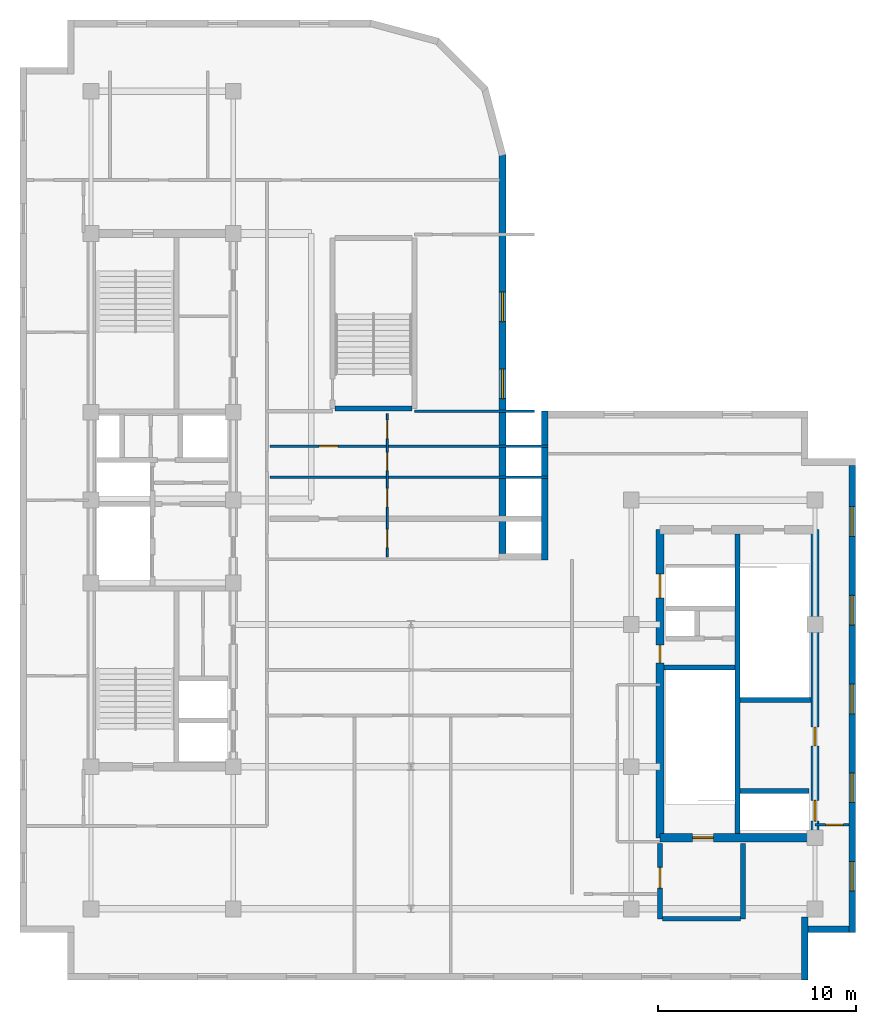
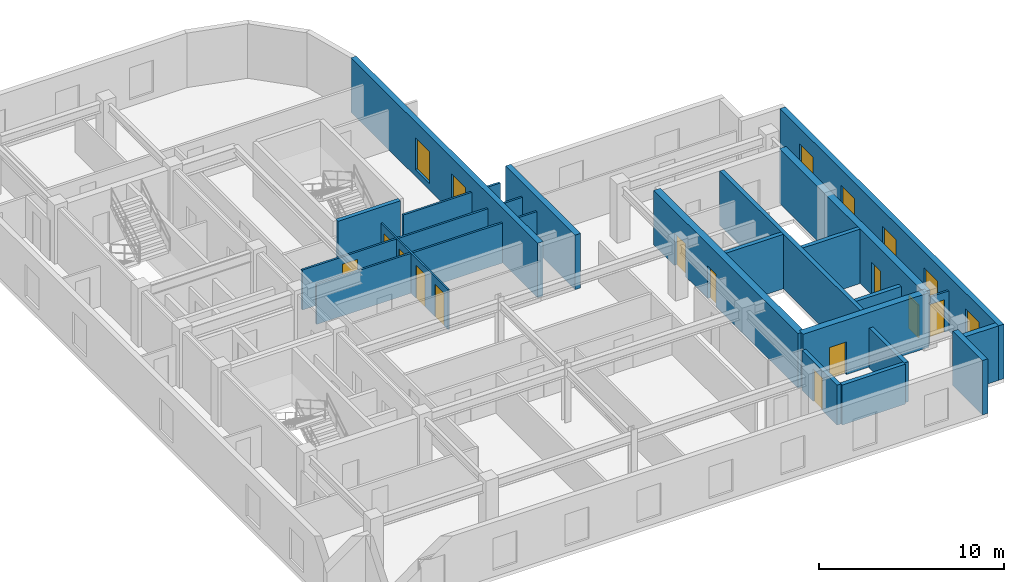
# One storey, part 5 of 10: 21 walls, 12 doors, 7 windows, 19 openings.
"""IFC4 building model written with IfcOpenShell, lengths in metres."""

import ifcopenshell
import ifcopenshell.guid

model = None  # the IFC model being written
_history = None  # IfcOwnerHistory: only IFC2X3 demands one
_inside = {}  # id of a spatial element -> (the spatial element, [elements in it])
_under = {}  # id of a project, library or spatial element -> (it, [spatial elements below it])
_declared = {}  # id of a project -> (the project, [libraries it declares])
_typed = {}  # id of a type object -> (the type object, [elements of that type])
_made_of = {}  # id of a material, layer set ... -> (it, [elements and type objects made of it])


def new_model(schema):
    """Start an empty IFC model of exactly this schema.

    Asked for "IFC4X3", IfcOpenShell would pick the latest addendum, in which some entities
    have other attributes; the version numbers below select the first issue.
    IFC2X3 requires an IfcOwnerHistory on every rooted entity: one is made here for all.
    """
    global model, _history
    if schema == "IFC4X3":
        model = ifcopenshell.file(schema_version=(4, 3, 0, 0))
    else:
        model = ifcopenshell.file(schema=schema)
    _inside.clear()
    _under.clear()
    _declared.clear()
    _typed.clear()
    _made_of.clear()
    _history = None
    if model.schema == "IFC2X3":
        org = make("IfcOrganization", Name="unknown")
        user = make(
            "IfcPersonAndOrganization",
            ThePerson=make("IfcPerson", FamilyName="unknown"),
            TheOrganization=org,
        )
        app = make(
            "IfcApplication",
            ApplicationDeveloper=org,
            Version="unknown",
            ApplicationFullName="unknown",
            ApplicationIdentifier="unknown",
        )
        _history = make(
            "IfcOwnerHistory",
            OwningUser=user,
            OwningApplication=app,
            ChangeAction="ADDED",
            CreationDate=0,
        )
    return model


def make(cls, **values):
    """One entity of the class cls with the attributes given. An attribute that is None is left unset."""
    return model.create_entity(
        cls, **{name: value for name, value in values.items() if value is not None}
    )


def entity(cls, *values):
    """Any entity or typed value of the class cls, its attributes in the order of the schema. None: left unset."""
    e = model.create_entity(cls)
    for i, value in enumerate(values):
        if value is not None:
            e[i] = value
    return e


def rooted(cls, **values):
    """An entity with a GlobalId (a new one), such as an element, a storey or a relation."""
    return make(cls, GlobalId=ifcopenshell.guid.new(), OwnerHistory=_history, **values)


def si_unit(unit_type, name, prefix=None):
    """IfcSIUnit, for example si_unit("LENGTHUNIT", "METRE", prefix="MILLI")."""
    return make("IfcSIUnit", UnitType=unit_type, Prefix=prefix, Name=name)


def converted_unit(unit_type, name, factor, base, dimensions=None, offset=None):
    """IfcConversionBasedUnit, such as the inch: factor (a typed value) times the base unit."""
    return make(
        "IfcConversionBasedUnit"
        if offset is None
        else "IfcConversionBasedUnitWithOffset",
        ConversionOffset=offset,
        Dimensions=None
        if dimensions is None
        else entity("IfcDimensionalExponents", *dimensions),
        UnitType=unit_type,
        Name=name,
        ConversionFactor=make(
            "IfcMeasureWithUnit", ValueComponent=factor, UnitComponent=base
        ),
    )


def assignment(units):
    """IfcUnitAssignment: the units of a project."""
    return None if units is None else make("IfcUnitAssignment", Units=units)


def point(xyz):
    """IfcCartesianPoint."""
    return None if xyz is None else make("IfcCartesianPoint", Coordinates=xyz)


def direction(xyz):
    """IfcDirection."""
    return None if xyz is None else make("IfcDirection", DirectionRatios=xyz)


def frame(location, z_axis=None, x_axis=None):
    """IfcAxis2Placement3D, a coordinate frame: its origin and axes. An axis left out is left unset."""
    return make(
        "IfcAxis2Placement3D",
        Location=point(location),
        Axis=direction(z_axis),
        RefDirection=direction(x_axis),
    )


def frame_2d(location, x_axis=None):
    """IfcAxis2Placement2D, a coordinate frame in the plane: its origin and x axis."""
    return make(
        "IfcAxis2Placement2D", Location=point(location), RefDirection=direction(x_axis)
    )


def origin_with_axes():
    """The frame at (0, 0, 0) with the z axis (0, 0, 1) and the x axis (1, 0, 0) written out."""
    return frame((0.0, 0.0, 0.0), z_axis=(0.0, 0.0, 1.0), x_axis=(1.0, 0.0, 0.0))


def origin_2d_with_axis():
    """The frame at (0, 0) in the plane with the x axis (1, 0) written out."""
    return frame_2d((0.0, 0.0), x_axis=(1.0, 0.0))


def place(relative_to, where):
    """IfcLocalPlacement: puts the frame where relative to a parent placement (None: the world)."""
    return make(
        "IfcLocalPlacement", PlacementRelTo=relative_to, RelativePlacement=where
    )


def context(
    kind, dimensions, precision=None, world=None, true_north=None, identifier=None
):
    """IfcGeometricRepresentationContext, for example the 3D "Model" context."""
    return make(
        "IfcGeometricRepresentationContext",
        ContextIdentifier=identifier,
        ContextType=kind,
        CoordinateSpaceDimension=dimensions,
        Precision=precision,
        WorldCoordinateSystem=world,
        TrueNorth=true_north,
    )


def subcontext(parent, identifier, kind, view, scale=None):
    """IfcGeometricRepresentationSubContext, for example "Body" below "Model"."""
    return make(
        "IfcGeometricRepresentationSubContext",
        ContextIdentifier=identifier,
        ContextType=kind,
        ParentContext=parent,
        TargetScale=scale,
        TargetView=view,
    )


def project(units=None, contexts=None):
    """IfcProject with its units and contexts."""
    return rooted(
        "IfcProject",
        Name="project",
        RepresentationContexts=contexts,
        UnitsInContext=assignment(units),
    )


def spatial(cls, under=None, at=None, **own):
    """A site, building, storey or space (cls), placed at a placement, below another one or the project."""
    s = rooted(cls, ObjectPlacement=at, **own)
    if under is not None:
        _under.setdefault(under.id(), (under, []))[1].append(s)
    return s


def polyline(points):
    """IfcPolyline through the points."""
    return make("IfcPolyline", Points=[point(p) for p in points])


def profile(cls, at=None, kind="AREA", **sizes):
    """A parametric profile (cls). Its sizes go by their IFC names, for example OverallWidth=200.0."""
    return make(cls, ProfileType=kind, Position=at, **sizes)


def rectangle(**sizes):
    """IfcRectangleProfileDef."""
    return profile("IfcRectangleProfileDef", **sizes)


def outline(outer, holes=None, kind="AREA"):
    """IfcArbitraryClosedProfileDef: a profile drawn as a closed curve; with holes, ...WithVoids."""
    if holes is None:
        return make("IfcArbitraryClosedProfileDef", ProfileType=kind, OuterCurve=outer)
    return make(
        "IfcArbitraryProfileDefWithVoids",
        ProfileType=kind,
        OuterCurve=outer,
        InnerCurves=holes,
    )


def extrude(swept, where, along, depth):
    """IfcExtrudedAreaSolid: the profile swept, set in the frame where, extruded along a direction by depth."""
    return make(
        "IfcExtrudedAreaSolid",
        SweptArea=swept,
        Position=where,
        ExtrudedDirection=direction(along),
        Depth=depth,
    )


def shape(context_of_items, identifier, shape_type, items):
    """IfcShapeRepresentation: the items that make up one representation, for example the "Body"."""
    return make(
        "IfcShapeRepresentation",
        ContextOfItems=context_of_items,
        RepresentationIdentifier=identifier,
        RepresentationType=shape_type,
        Items=items,
    )


def material(Name=None, Category=None):
    """IfcMaterial."""
    return make("IfcMaterial", Name=Name, Category=Category)


def layer(
    of_material, thickness, ventilated=None, Name=None, Category=None, Priority=None
):
    """IfcMaterialLayer: one layer of a wall or slab, of a material (None: an air gap)."""
    return make(
        "IfcMaterialLayer",
        Material=of_material,
        LayerThickness=thickness,
        IsVentilated=ventilated,
        Name=Name,
        Category=Category,
        Priority=Priority,
    )


def layer_set(layers, Name=None):
    """IfcMaterialLayerSet."""
    return make("IfcMaterialLayerSet", MaterialLayers=layers, LayerSetName=Name)


def made_of(thing, what):
    """Note that an element or type object is made of a material, layer set ...; save() writes the relation."""
    if what is not None:
        _made_of.setdefault(what.id(), (what, []))[1].append(thing)
    return thing


def type_object(cls, material=None, **own):
    """A type object (cls), such as IfcWallType, which elements share."""
    return made_of(rooted(cls, **own), material)


def element(
    cls,
    number,
    at=None,
    inside=None,
    cuts=None,
    type_object=None,
    material=None,
    context=None,
    identifier="Body",
    shape_type=None,
    held_by="IfcProductDefinitionShape",
    body=None,
    shapes=None,
    **own,
):
    """One element of the class cls, such as IfcWall. Its Tag is "e" and its number.

    at: its placement. inside: the storey or other place that contains it. cuts: it is an
    opening in that element (IfcRelVoidsElement). A single representation is given by context,
    identifier, shape_type and body (its items); several are given by shapes. held_by: the class
    of the entity that holds the representations. save() writes the other relations.
    """
    e = rooted(cls, Tag="e%d" % number, ObjectPlacement=at, **own)
    if body is not None:
        shapes = [shape(context, identifier, shape_type, body)]
    if shapes is not None:
        e.Representation = make(held_by, Representations=shapes)
    if inside is not None:
        _inside.setdefault(inside.id(), (inside, []))[1].append(e)
    if cuts is not None:
        rooted(
            "IfcRelVoidsElement", RelatingBuildingElement=cuts, RelatedOpeningElement=e
        )
    if type_object is not None:
        _typed.setdefault(type_object.id(), (type_object, []))[1].append(e)
    return made_of(e, material)


def fill(opening, filler):
    """IfcRelFillsElement: the door or window that sits in an opening."""
    return rooted(
        "IfcRelFillsElement",
        RelatingOpeningElement=opening,
        RelatedBuildingElement=filler,
    )


def aggregate(whole, parts):
    """IfcRelAggregates: a whole, such as a stair, and the parts it consists of."""
    return rooted("IfcRelAggregates", RelatingObject=whole, RelatedObjects=parts)


def save(model, path):
    """Write the relations noted so far, then the file.

    IfcRelAggregates (storeys below a building ...), IfcRelContainedInSpatialStructure (elements
    in a storey), IfcRelDefinesByType, IfcRelAssociatesMaterial and IfcRelDeclares: one each for
    every whole, place, type object, material and project.
    """
    for whole, parts in _under.values():
        aggregate(whole, parts)
    for where, things in _inside.values():
        rooted(
            "IfcRelContainedInSpatialStructure",
            RelatedElements=things,
            RelatingStructure=where,
        )
    for kind, things in _typed.values():
        rooted("IfcRelDefinesByType", RelatedObjects=things, RelatingType=kind)
    for what, things in _made_of.values():
        rooted("IfcRelAssociatesMaterial", RelatedObjects=things, RelatingMaterial=what)
    for by, libraries in _declared.values():
        rooted("IfcRelDeclares", RelatingContext=by, RelatedDefinitions=libraries)
    model.write(path)


model = new_model("IFC4")

# Units and contexts
model_context = context("Model", 3, precision=1e-05, world=origin_with_axes(), true_north=direction((0.0, 1.0)))
body_context = subcontext(model_context, "Body", "Model", "MODEL_VIEW")
ifc_project = project(units=[si_unit("LENGTHUNIT", "METRE"), si_unit("AREAUNIT", "SQUARE_METRE"), si_unit("VOLUMEUNIT", "CUBIC_METRE"), converted_unit("PLANEANGLEUNIT", "DEGREE", entity("IfcPlaneAngleMeasure", 0.017453292519943295), si_unit("PLANEANGLEUNIT", "RADIAN"), dimensions=[0, 0, 0, 0, 0, 0, 0]), si_unit("MASSUNIT", "GRAM", prefix="KILO"), si_unit("THERMODYNAMICTEMPERATUREUNIT", "KELVIN")], contexts=[model_context])

# Site, building, storey
site_placement = place(None, origin_with_axes())
site = spatial("IfcSite", under=ifc_project, at=site_placement, CompositionType="ELEMENT")
building_placement = place(site_placement, origin_with_axes())
building = spatial("IfcBuilding", under=site, at=building_placement, Name="Varnlund Millrace Tower", CompositionType="ELEMENT")
storey_placement = place(building_placement, frame((0.0, 0.0, 284.1), z_axis=(0.0, 0.0, 1.0), x_axis=(1.0, 0.0, 0.0)))
storey = spatial("IfcBuildingStorey", under=building, at=storey_placement, Name="L70", CompositionType="ELEMENT", Elevation=284.1)

# Wall, openings, doors
ifc_material_1 = material(Name="Concrete C60/75", Category="concrete")
ifc_layer_1 = layer(ifc_material_1, 0.42, Name="Concrete C60/75")
ifc_layer_set_1 = layer_set([ifc_layer_1], Name="Concrete C60/75")
wall_type_1 = type_object("IfcWallType", Name="Type-CoreWall-Shear-420-C60", PredefinedType="SHEAR", material=ifc_layer_set_1)
wall_1_placement = place(storey_placement, frame((40.2, 7.2, 0.0), z_axis=(0.0, 0.0, 1.0), x_axis=(0.0, 1.0, 0.0)))
wall_1 = element("IfcWall", 1, at=wall_1_placement, inside=storey, type_object=wall_type_1, Name="Type-CoreWall-Shear-420-C60", PredefinedType="SHEAR", context=body_context, shape_type="SweptSolid", body=[
    extrude(outline(polyline([(0.0, -0.21), (15.6, -0.21), (15.6, 0.21), (0.0, 0.21), (0.0, -0.21)])), origin_with_axes(), (0.0, 0.0, 1.0), 3.6),
])
opening_1_placement = place(wall_1_placement, frame((12.75, 0.0, 0.0), z_axis=(0.0, 0.0, 1.0), x_axis=(1.0, 0.0, 0.0)))
opening_1 = element("IfcOpeningElement", 2, at=opening_1_placement, cuts=wall_1, Name="Opening L70:LD-SRV2", PredefinedType="OPENING", context=body_context, shape_type="SweptSolid", body=[
    extrude(rectangle(XDim=1.2, YDim=0.44, at=origin_2d_with_axis()), origin_with_axes(), (0.0, 0.0, 1.0), 2.15),
])
opening_2_placement = place(wall_1_placement, frame((9.3, 0.0, 0.0), z_axis=(0.0, 0.0, 1.0), x_axis=(1.0, 0.0, 0.0)))
opening_2 = element("IfcOpeningElement", 3, at=opening_2_placement, cuts=wall_1, Name="Opening L70:DR-CB-JAN", PredefinedType="OPENING", context=body_context, shape_type="SweptSolid", body=[
    extrude(rectangle(XDim=0.9, YDim=0.44, at=origin_2d_with_axis()), origin_with_axes(), (0.0, 0.0, 1.0), 2.15),
])
ifc_material_2 = material(Name="Fire-rated hollow steel service closet door", Category="steel")
door_type_1 = type_object("IfcDoorType", Name="Type-FireDoor-Closet-900X2150", OperationType="NOTDEFINED", PredefinedType="DOOR", material=ifc_material_2)
door_1_placement = place(wall_1_placement, frame((9.3, 0.0, 0.0), z_axis=(0.0, 0.0, 1.0), x_axis=(1.0, 0.0, 0.0)))
door_1 = element("IfcDoor", 4, at=door_1_placement, inside=storey, type_object=door_type_1, Name="Type-FireDoor-Closet-900X2150", OperationType="SINGLE_SWING_RIGHT", OverallHeight=2.15, OverallWidth=0.9, PredefinedType="DOOR", context=body_context, shape_type="SweptSolid", body=[
    extrude(rectangle(XDim=0.9, YDim=0.09, at=origin_2d_with_axis()), origin_with_axes(), (0.0, 0.0, 1.0), 2.15),
])
fill(opening_2, door_1)
ifc_material_3 = material(Name="Heavy-duty freight sliding landing door")
door_type_2 = type_object("IfcDoorType", Name="Type-LiftLandingDoor-Service-1200X2150", OperationType="NOTDEFINED", PredefinedType="DOOR", material=ifc_material_3)
door_2_placement = place(wall_1_placement, frame((12.75, 0.0, 0.0), z_axis=(0.0, 0.0, 1.0), x_axis=(1.0, 0.0, 0.0)))
door_2 = element("IfcDoor", 5, at=door_2_placement, inside=storey, type_object=door_type_2, Name="Type-LiftLandingDoor-Service-1200X2150", OperationType="DOUBLE_DOOR_SLIDING", OverallHeight=2.15, OverallWidth=1.2, PredefinedType="DOOR", context=body_context, shape_type="SweptSolid", body=[
    extrude(rectangle(XDim=1.2, YDim=0.09, at=origin_2d_with_axis()), origin_with_axes(), (0.0, 0.0, 1.0), 2.15),
])
fill(opening_1, door_2)

# Wall, opening, door
wall_2_placement = place(storey_placement, frame((40.2, 7.2, 0.0), z_axis=(0.0, 0.0, 1.0), x_axis=(1.0, 0.0, 0.0)))
wall_2 = element("IfcWall", 6, at=wall_2_placement, inside=storey, type_object=wall_type_1, Name="Type-CoreWall-Shear-420-C60", PredefinedType="SHEAR", context=body_context, shape_type="SweptSolid", body=[
    extrude(outline(polyline([(0.0, -0.21), (7.85, -0.21), (7.85, 0.21), (0.0, 0.21), (0.0, -0.21)])), origin_with_axes(), (0.0, 0.0, 1.0), 3.6),
])
opening_3_placement = place(wall_2_placement, frame((2.175, 0.0, 0.0), z_axis=(0.0, 0.0, 1.0), x_axis=(1.0, 0.0, 0.0)))
opening_3 = element("IfcOpeningElement", 7, at=opening_3_placement, cuts=wall_2, Name="Opening L70:DR-STB1", PredefinedType="OPENING", context=body_context, shape_type="SweptSolid", body=[
    extrude(rectangle(XDim=1.05, YDim=0.44, at=origin_2d_with_axis()), origin_with_axes(), (0.0, 0.0, 1.0), 2.15),
])
ifc_material_4 = material(Name="Fire-rated hollow steel door", Category="steel")
door_type_3 = type_object("IfcDoorType", Name="Type-FireDoor-Stair-1050X2150", OperationType="NOTDEFINED", PredefinedType="DOOR", material=ifc_material_4)
door_3_placement = place(wall_2_placement, frame((2.175, 0.0, 0.0), z_axis=(0.0, 0.0, 1.0), x_axis=(1.0, 0.0, 0.0)))
door_3 = element("IfcDoor", 8, at=door_3_placement, inside=storey, type_object=door_type_3, Name="Type-FireDoor-Stair-1050X2150", OperationType="SINGLE_SWING_LEFT", OverallHeight=2.15, OverallWidth=1.05, PredefinedType="DOOR", context=body_context, shape_type="SweptSolid", body=[
    extrude(rectangle(XDim=1.05, YDim=0.09, at=origin_2d_with_axis()), origin_with_axes(), (0.0, 0.0, 1.0), 2.15),
])
fill(opening_3, door_3)

# Wall, openings, doors
wall_3_placement = place(storey_placement, frame((48.05, 7.2, 0.0), z_axis=(0.0, 0.0, 1.0), x_axis=(0.0, 1.0, 0.0)))
wall_3 = element("IfcWall", 9, at=wall_3_placement, inside=storey, type_object=wall_type_1, Name="Type-CoreWall-Shear-420-C60", PredefinedType="SHEAR", context=body_context, shape_type="SweptSolid", body=[
    extrude(outline(polyline([(0.0, -0.21), (15.6, -0.21), (15.6, 0.21), (0.0, 0.21), (0.0, -0.21)])), origin_with_axes(), (0.0, 0.0, 1.0), 3.6),
])
opening_4_placement = place(wall_3_placement, frame((1.375, 0.0, 0.0), z_axis=(0.0, 0.0, 1.0), x_axis=(1.0, 0.0, 0.0)))
opening_4 = element("IfcOpeningElement", 10, at=opening_4_placement, cuts=wall_3, Name="Opening L70:LD-ELV-H3", PredefinedType="OPENING", context=body_context, shape_type="SweptSolid", body=[
    extrude(rectangle(XDim=1.05, YDim=0.44, at=origin_2d_with_axis()), origin_with_axes(), (0.0, 0.0, 1.0), 2.15),
])
opening_5_placement = place(wall_3_placement, frame((5.125, 0.0, 0.0), z_axis=(0.0, 0.0, 1.0), x_axis=(1.0, 0.0, 0.0)))
opening_5 = element("IfcOpeningElement", 11, at=opening_5_placement, cuts=wall_3, Name="Opening L70:DR-CB-WC", PredefinedType="OPENING", context=body_context, shape_type="SweptSolid", body=[
    extrude(rectangle(XDim=0.95, YDim=0.44, at=origin_2d_with_axis()), origin_with_axes(), (0.0, 0.0, 1.0), 2.15),
])
ifc_material_5 = material(Name="Fire-rated hollow steel core service door", Category="steel")
door_type_4 = type_object("IfcDoorType", Name="Type-FireDoor-Service-950X2150", OperationType="NOTDEFINED", PredefinedType="DOOR", material=ifc_material_5)
door_4_placement = place(wall_3_placement, frame((5.125, 0.0, 0.0), z_axis=(0.0, 0.0, 1.0), x_axis=(1.0, 0.0, 0.0)))
door_4 = element("IfcDoor", 12, at=door_4_placement, inside=storey, type_object=door_type_4, Name="Type-FireDoor-Service-950X2150", OperationType="SINGLE_SWING_LEFT", OverallHeight=2.15, OverallWidth=0.95, PredefinedType="DOOR", context=body_context, shape_type="SweptSolid", body=[
    extrude(rectangle(XDim=0.95, YDim=0.09, at=origin_2d_with_axis()), origin_with_axes(), (0.0, 0.0, 1.0), 2.15),
])
fill(opening_5, door_4)
ifc_material_6 = material(Name="Architectural bronze sliding landing door")
door_type_5 = type_object("IfcDoorType", Name="Type-LiftLandingDoor-Compact-1050X2150", OperationType="NOTDEFINED", PredefinedType="DOOR", material=ifc_material_6)
door_5_placement = place(wall_3_placement, frame((1.375, 0.0, 0.0), z_axis=(0.0, 0.0, 1.0), x_axis=(1.0, 0.0, 0.0)))
door_5 = element("IfcDoor", 13, at=door_5_placement, inside=storey, type_object=door_type_5, Name="Type-LiftLandingDoor-Compact-1050X2150", OperationType="SLIDING_TO_LEFT", OverallHeight=2.15, OverallWidth=1.05, PredefinedType="DOOR", context=body_context, shape_type="SweptSolid", body=[
    extrude(rectangle(XDim=1.05, YDim=0.09, at=origin_2d_with_axis()), origin_with_axes(), (0.0, 0.0, 1.0), 2.15),
])
fill(opening_4, door_5)

# Wall
ifc_material_7 = material(Name="Precast concrete C50/60", Category="concrete")
ifc_layer_2 = layer(ifc_material_7, 0.34, Name="Precast concrete C50/60")
ifc_layer_set_2 = layer_set([ifc_layer_2], Name="Precast concrete C50/60")
wall_type_2 = type_object("IfcWallType", Name="Type-ExtWall-Precast-Upper-340", PredefinedType="SOLIDWALL", material=ifc_layer_set_2)
wall_4_placement = place(storey_placement, frame((34.37, 21.26, 0.0), z_axis=(0.0, 0.0, 1.0), x_axis=(0.0, 1.0, 0.0)))
element("IfcWall", 14, at=wall_4_placement, inside=storey, type_object=wall_type_2, Name="Type-ExtWall-Precast-Upper-340", PredefinedType="SOLIDWALL", context=body_context, shape_type="SweptSolid", body=[
    extrude(outline(polyline([(0.0, -0.17), (7.54, -0.17), (7.54, 0.17), (0.0, 0.17), (0.0, -0.17)])), origin_with_axes(), (0.0, 0.0, 1.0), 3.6),
])

# Wall, openings, windows
wall_5_placement = place(storey_placement, frame((49.93, 26.06, 0.0), z_axis=(0.0, 0.0, 1.0), x_axis=(0.0, -1.0, 0.0)))
wall_5 = element("IfcWall", 15, at=wall_5_placement, inside=storey, type_object=wall_type_2, Name="Type-ExtWall-Precast-Upper-340", PredefinedType="SOLIDWALL", context=body_context, shape_type="SweptSolid", body=[
    extrude(outline(polyline([(0.0, -0.17), (23.66, -0.17), (23.66, 0.17), (0.0, 0.17), (0.0, -0.17)])), origin_with_axes(), (0.0, 0.0, 1.0), 3.6),
])
opening_6_placement = place(wall_5_placement, frame((2.846, 0.0, 0.45), z_axis=(0.0, 0.0, 1.0), x_axis=(1.0, 0.0, 0.0)))
opening_6 = element("IfcOpeningElement", 16, at=opening_6_placement, cuts=wall_5, Name="Opening L70:WN-03", PredefinedType="OPENING", context=body_context, shape_type="SweptSolid", body=[
    extrude(rectangle(XDim=1.5, YDim=0.36, at=origin_2d_with_axis()), origin_with_axes(), (0.0, 0.0, 1.0), 2.1),
])
opening_7_placement = place(wall_5_placement, frame((7.338, 0.0, 0.45), z_axis=(0.0, 0.0, 1.0), x_axis=(1.0, 0.0, 0.0)))
opening_7 = element("IfcOpeningElement", 17, at=opening_7_placement, cuts=wall_5, Name="Opening L70:WN-04", PredefinedType="OPENING", context=body_context, shape_type="SweptSolid", body=[
    extrude(rectangle(XDim=1.5, YDim=0.36, at=origin_2d_with_axis()), origin_with_axes(), (0.0, 0.0, 1.0), 2.1),
])
opening_8_placement = place(wall_5_placement, frame((11.83, 0.0, 0.45), z_axis=(0.0, 0.0, 1.0), x_axis=(1.0, 0.0, 0.0)))
opening_8 = element("IfcOpeningElement", 18, at=opening_8_placement, cuts=wall_5, Name="Opening L70:WN-05", PredefinedType="OPENING", context=body_context, shape_type="SweptSolid", body=[
    extrude(rectangle(XDim=1.5, YDim=0.36, at=origin_2d_with_axis()), origin_with_axes(), (0.0, 0.0, 1.0), 2.1),
])
opening_9_placement = place(wall_5_placement, frame((16.322, 0.0, 0.45), z_axis=(0.0, 0.0, 1.0), x_axis=(1.0, 0.0, 0.0)))
opening_9 = element("IfcOpeningElement", 19, at=opening_9_placement, cuts=wall_5, Name="Opening L70:WN-06", PredefinedType="OPENING", context=body_context, shape_type="SweptSolid", body=[
    extrude(rectangle(XDim=1.5, YDim=0.36, at=origin_2d_with_axis()), origin_with_axes(), (0.0, 0.0, 1.0), 2.1),
])
opening_10_placement = place(wall_5_placement, frame((20.814, 0.0, 0.45), z_axis=(0.0, 0.0, 1.0), x_axis=(1.0, 0.0, 0.0)))
opening_10 = element("IfcOpeningElement", 20, at=opening_10_placement, cuts=wall_5, Name="Opening L70:WN-07", PredefinedType="OPENING", context=body_context, shape_type="SweptSolid", body=[
    extrude(rectangle(XDim=1.5, YDim=0.36, at=origin_2d_with_axis()), origin_with_axes(), (0.0, 0.0, 1.0), 2.1),
])
ifc_material_8 = material(Name="Argon low-e triple glazing in thermally broken bronze frame", Category="glass")
window_type = type_object("IfcWindowType", Name="Type-Window-Punched-1500X2100", PartitioningType="SINGLE_PANEL", PredefinedType="WINDOW", material=ifc_material_8)
window_1_placement = place(wall_5_placement, frame((2.846, 0.0, 0.45), z_axis=(0.0, 0.0, 1.0), x_axis=(1.0, 0.0, 0.0)))
window_1 = element("IfcWindow", 21, at=window_1_placement, inside=storey, type_object=window_type, Name="Type-Window-Punched-1500X2100", OverallHeight=2.1, OverallWidth=1.5, PredefinedType="WINDOW", context=body_context, shape_type="SweptSolid", body=[
    extrude(rectangle(XDim=1.5, YDim=0.09, at=origin_2d_with_axis()), origin_with_axes(), (0.0, 0.0, 1.0), 2.1),
])
fill(opening_6, window_1)
window_2_placement = place(wall_5_placement, frame((7.338, 0.0, 0.45), z_axis=(0.0, 0.0, 1.0), x_axis=(1.0, 0.0, 0.0)))
window_2 = element("IfcWindow", 22, at=window_2_placement, inside=storey, type_object=window_type, Name="Type-Window-Punched-1500X2100", OverallHeight=2.1, OverallWidth=1.5, PredefinedType="WINDOW", context=body_context, shape_type="SweptSolid", body=[
    extrude(rectangle(XDim=1.5, YDim=0.09, at=origin_2d_with_axis()), origin_with_axes(), (0.0, 0.0, 1.0), 2.1),
])
fill(opening_7, window_2)
window_3_placement = place(wall_5_placement, frame((11.83, 0.0, 0.45), z_axis=(0.0, 0.0, 1.0), x_axis=(1.0, 0.0, 0.0)))
window_3 = element("IfcWindow", 23, at=window_3_placement, inside=storey, type_object=window_type, Name="Type-Window-Punched-1500X2100", OverallHeight=2.1, OverallWidth=1.5, PredefinedType="WINDOW", context=body_context, shape_type="SweptSolid", body=[
    extrude(rectangle(XDim=1.5, YDim=0.09, at=origin_2d_with_axis()), origin_with_axes(), (0.0, 0.0, 1.0), 2.1),
])
fill(opening_8, window_3)
window_4_placement = place(wall_5_placement, frame((16.322, 0.0, 0.45), z_axis=(0.0, 0.0, 1.0), x_axis=(1.0, 0.0, 0.0)))
window_4 = element("IfcWindow", 24, at=window_4_placement, inside=storey, type_object=window_type, Name="Type-Window-Punched-1500X2100", OverallHeight=2.1, OverallWidth=1.5, PredefinedType="WINDOW", context=body_context, shape_type="SweptSolid", body=[
    extrude(rectangle(XDim=1.5, YDim=0.09, at=origin_2d_with_axis()), origin_with_axes(), (0.0, 0.0, 1.0), 2.1),
])
fill(opening_9, window_4)
window_5_placement = place(wall_5_placement, frame((20.814, 0.0, 0.45), z_axis=(0.0, 0.0, 1.0), x_axis=(1.0, 0.0, 0.0)))
window_5 = element("IfcWindow", 25, at=window_5_placement, inside=storey, type_object=window_type, Name="Type-Window-Punched-1500X2100", OverallHeight=2.1, OverallWidth=1.5, PredefinedType="WINDOW", context=body_context, shape_type="SweptSolid", body=[
    extrude(rectangle(XDim=1.5, YDim=0.09, at=origin_2d_with_axis()), origin_with_axes(), (0.0, 0.0, 1.0), 2.1),
])
fill(opening_10, window_5)

# Walls
wall_6_placement = place(storey_placement, frame((49.76, 2.57, 0.0), z_axis=(0.0, 0.0, 1.0), x_axis=(-1.0, 0.0, 0.0)))
element("IfcWall", 26, at=wall_6_placement, inside=storey, type_object=wall_type_2, Name="Type-ExtWall-Precast-Upper-340", PredefinedType="SOLIDWALL", context=body_context, shape_type="SweptSolid", body=[
    extrude(outline(polyline([(0.0, -0.17), (2.06, -0.17), (2.06, 0.17), (0.0, 0.17), (0.0, -0.17)])), origin_with_axes(), (0.0, 0.0, 1.0), 3.6),
])
wall_7_placement = place(storey_placement, frame((47.53, 3.2, 0.0), z_axis=(0.0, 0.0, 1.0), x_axis=(0.0, -1.0, 0.0)))
element("IfcWall", 27, at=wall_7_placement, inside=storey, type_object=wall_type_2, Name="Type-ExtWall-Precast-Upper-340", PredefinedType="SOLIDWALL", context=body_context, shape_type="SweptSolid", body=[
    extrude(outline(polyline([(0.0, -0.17), (3.2, -0.17), (3.2, 0.17), (0.0, 0.17), (0.0, -0.17)])), origin_with_axes(), (0.0, 0.0, 1.0), 3.6),
])

# Wall, openings, windows
wall_8_placement = place(storey_placement, frame((32.23, 41.82, 0.0), z_axis=(0.0, 0.0, 1.0), x_axis=(0.0, -1.0, 0.0)))
wall_8 = element("IfcWall", 28, at=wall_8_placement, inside=storey, type_object=wall_type_2, Name="Type-ExtWall-Precast-Upper-340", PredefinedType="SOLIDWALL", context=body_context, shape_type="SweptSolid", body=[
    extrude(outline(polyline([(0.0, -0.17), (20.22, -0.17), (20.22, 0.17), (0.0, 0.17), (0.0, -0.17)])), origin_with_axes(), (0.0, 0.0, 1.0), 3.6),
])
opening_11_placement = place(wall_8_placement, frame((7.732, 0.0, 0.45), z_axis=(0.0, 0.0, 1.0), x_axis=(1.0, 0.0, 0.0)))
opening_11 = element("IfcOpeningElement", 29, at=opening_11_placement, cuts=wall_8, Name="Opening L70:WN-26", PredefinedType="OPENING", context=body_context, shape_type="SweptSolid", body=[
    extrude(rectangle(XDim=1.5, YDim=0.36, at=origin_2d_with_axis()), origin_with_axes(), (0.0, 0.0, 1.0), 2.1),
])
opening_12_placement = place(wall_8_placement, frame((11.637, 0.0, 0.45), z_axis=(0.0, 0.0, 1.0), x_axis=(1.0, 0.0, 0.0)))
opening_12 = element("IfcOpeningElement", 30, at=opening_12_placement, cuts=wall_8, Name="Opening L70:WN-27", PredefinedType="OPENING", context=body_context, shape_type="SweptSolid", body=[
    extrude(rectangle(XDim=1.5, YDim=0.36, at=origin_2d_with_axis()), origin_with_axes(), (0.0, 0.0, 1.0), 2.1),
])
window_6_placement = place(wall_8_placement, frame((7.732, 0.0, 0.45), z_axis=(0.0, 0.0, 1.0), x_axis=(1.0, 0.0, 0.0)))
window_6 = element("IfcWindow", 31, at=window_6_placement, inside=storey, type_object=window_type, Name="Type-Window-Punched-1500X2100", OverallHeight=2.1, OverallWidth=1.5, PredefinedType="WINDOW", context=body_context, shape_type="SweptSolid", body=[
    extrude(rectangle(XDim=1.5, YDim=0.09, at=origin_2d_with_axis()), origin_with_axes(), (0.0, 0.0, 1.0), 2.1),
])
fill(opening_11, window_6)
window_7_placement = place(wall_8_placement, frame((11.637, 0.0, 0.45), z_axis=(0.0, 0.0, 1.0), x_axis=(1.0, 0.0, 0.0)))
window_7 = element("IfcWindow", 32, at=window_7_placement, inside=storey, type_object=window_type, Name="Type-Window-Punched-1500X2100", OverallHeight=2.1, OverallWidth=1.5, PredefinedType="WINDOW", context=body_context, shape_type="SweptSolid", body=[
    extrude(rectangle(XDim=1.5, YDim=0.09, at=origin_2d_with_axis()), origin_with_axes(), (0.0, 0.0, 1.0), 2.1),
])
fill(opening_12, window_7)

# Wall, openings, doors
ifc_material_9 = material(Name="Architectural bronze and acoustic glass office front", Category="glass")
ifc_layer_3 = layer(ifc_material_9, 0.1, Name="Architectural bronze and acoustic glass office front")
ifc_layer_set_3 = layer_set([ifc_layer_3], Name="Architectural bronze and acoustic glass office front")
wall_type_3 = type_object("IfcWallType", Name="Type-Partition-Glazed-100", PredefinedType="PARTITIONING", material=ifc_layer_set_3)
wall_9_placement = place(storey_placement, frame((26.4, 21.42, 0.0), z_axis=(0.0, 0.0, 1.0), x_axis=(0.0, 1.0, 0.0)))
wall_9 = element("IfcWall", 33, at=wall_9_placement, inside=storey, type_object=wall_type_3, Name="Type-Partition-Glazed-100", PredefinedType="PARTITIONING", context=body_context, shape_type="SweptSolid", body=[
    extrude(outline(polyline([(0.0, -0.05), (7.26, -0.05), (7.26, 0.05), (0.0, 0.05), (0.0, -0.05)])), origin_with_axes(), (0.0, 0.0, 1.0), 2.64),
])
opening_13_placement = place(wall_9_placement, frame((0.9325, 0.0, 0.0), z_axis=(0.0, 0.0, 1.0), x_axis=(1.0, 0.0, 0.0)))
opening_13 = element("IfcOpeningElement", 34, at=opening_13_placement, cuts=wall_9, Name="Opening L70:DR-FLR-S01", PredefinedType="OPENING", context=body_context, shape_type="SweptSolid", body=[
    extrude(rectangle(XDim=0.95, YDim=0.12, at=origin_2d_with_axis()), origin_with_axes(), (0.0, 0.0, 1.0), 2.15),
])
opening_14_placement = place(wall_9_placement, frame((2.99, 0.0, 0.0), z_axis=(0.0, 0.0, 1.0), x_axis=(1.0, 0.0, 0.0)))
opening_14 = element("IfcOpeningElement", 35, at=opening_14_placement, cuts=wall_9, Name="Opening L70:DR-FLR-S02", PredefinedType="OPENING", context=body_context, shape_type="SweptSolid", body=[
    extrude(rectangle(XDim=0.95, YDim=0.12, at=origin_2d_with_axis()), origin_with_axes(), (0.0, 0.0, 1.0), 2.15),
])
opening_15_placement = place(wall_9_placement, frame((4.8265, 0.0, 0.0), z_axis=(0.0, 0.0, 1.0), x_axis=(1.0, 0.0, 0.0)))
opening_15 = element("IfcOpeningElement", 36, at=opening_15_placement, cuts=wall_9, Name="Opening L70:DR-FLR-S03", PredefinedType="OPENING", context=body_context, shape_type="SweptSolid", body=[
    extrude(rectangle(XDim=0.95, YDim=0.12, at=origin_2d_with_axis()), origin_with_axes(), (0.0, 0.0, 1.0), 2.15),
])
opening_16_placement = place(wall_9_placement, frame((6.469, 0.0, 0.0), z_axis=(0.0, 0.0, 1.0), x_axis=(1.0, 0.0, 0.0)))
opening_16 = element("IfcOpeningElement", 37, at=opening_16_placement, cuts=wall_9, Name="Opening L70:DR-FLR-S04", PredefinedType="OPENING", context=body_context, shape_type="SweptSolid", body=[
    extrude(rectangle(XDim=0.95, YDim=0.12, at=origin_2d_with_axis()), origin_with_axes(), (0.0, 0.0, 1.0), 2.15),
])
ifc_material_10 = material(Name="Solid-core acoustic office door")
door_type_6 = type_object("IfcDoorType", Name="Type-IntDoor-Tenant-950X2150", OperationType="NOTDEFINED", PredefinedType="DOOR", material=ifc_material_10)
door_6_placement = place(wall_9_placement, frame((0.9325, 0.0, 0.0), z_axis=(0.0, 0.0, 1.0), x_axis=(1.0, 0.0, 0.0)))
door_6 = element("IfcDoor", 38, at=door_6_placement, inside=storey, type_object=door_type_6, Name="Type-IntDoor-Tenant-950X2150", OperationType="SINGLE_SWING_LEFT", OverallHeight=2.15, OverallWidth=0.95, PredefinedType="DOOR", context=body_context, shape_type="SweptSolid", body=[
    extrude(rectangle(XDim=0.95, YDim=0.06, at=origin_2d_with_axis()), origin_with_axes(), (0.0, 0.0, 1.0), 2.15),
])
fill(opening_13, door_6)
door_7_placement = place(wall_9_placement, frame((2.99, 0.0, 0.0), z_axis=(0.0, 0.0, 1.0), x_axis=(1.0, 0.0, 0.0)))
door_7 = element("IfcDoor", 39, at=door_7_placement, inside=storey, type_object=door_type_6, Name="Type-IntDoor-Tenant-950X2150", OperationType="SINGLE_SWING_LEFT", OverallHeight=2.15, OverallWidth=0.95, PredefinedType="DOOR", context=body_context, shape_type="SweptSolid", body=[
    extrude(rectangle(XDim=0.95, YDim=0.06, at=origin_2d_with_axis()), origin_with_axes(), (0.0, 0.0, 1.0), 2.15),
])
fill(opening_14, door_7)
door_8_placement = place(wall_9_placement, frame((4.8265, 0.0, 0.0), z_axis=(0.0, 0.0, 1.0), x_axis=(1.0, 0.0, 0.0)))
door_8 = element("IfcDoor", 40, at=door_8_placement, inside=storey, type_object=door_type_6, Name="Type-IntDoor-Tenant-950X2150", OperationType="SINGLE_SWING_LEFT", OverallHeight=2.15, OverallWidth=0.95, PredefinedType="DOOR", context=body_context, shape_type="SweptSolid", body=[
    extrude(rectangle(XDim=0.95, YDim=0.06, at=origin_2d_with_axis()), origin_with_axes(), (0.0, 0.0, 1.0), 2.15),
])
fill(opening_15, door_8)
door_9_placement = place(wall_9_placement, frame((6.469, 0.0, 0.0), z_axis=(0.0, 0.0, 1.0), x_axis=(1.0, 0.0, 0.0)))
door_9 = element("IfcDoor", 41, at=door_9_placement, inside=storey, type_object=door_type_6, Name="Type-IntDoor-Tenant-950X2150", OperationType="SINGLE_SWING_LEFT", OverallHeight=2.15, OverallWidth=0.95, PredefinedType="DOOR", context=body_context, shape_type="SweptSolid", body=[
    extrude(rectangle(XDim=0.95, YDim=0.06, at=origin_2d_with_axis()), origin_with_axes(), (0.0, 0.0, 1.0), 2.15),
])
fill(opening_16, door_9)

# Wall
ifc_material_11 = material(Name="Gypsum board tenant partition", Category="gypsum")
ifc_layer_4 = layer(ifc_material_11, 0.125, Name="Gypsum board tenant partition")
ifc_layer_set_4 = layer_set([ifc_layer_4], Name="Gypsum board tenant partition")
wall_type_4 = type_object("IfcWallType", Name="Type-Partition-Tenant-125", PredefinedType="PARTITIONING", material=ifc_layer_set_4)
wall_10_placement = place(storey_placement, frame((20.45, 25.465, 0.0), z_axis=(0.0, 0.0, 1.0), x_axis=(1.0, 0.0, 0.0)))
element("IfcWall", 42, at=wall_10_placement, inside=storey, type_object=wall_type_4, Name="Type-Partition-Tenant-125", PredefinedType="PARTITIONING", context=body_context, shape_type="SweptSolid", body=[
    extrude(outline(polyline([(0.0, -0.0625), (14.085, -0.0625), (14.085, 0.0625), (0.0, 0.0625), (0.0, -0.0625)])), origin_with_axes(), (0.0, 0.0, 1.0), 2.64),
])

# Wall, opening, door
wall_11_placement = place(storey_placement, frame((20.45, 27.028, 0.0), z_axis=(0.0, 0.0, 1.0), x_axis=(1.0, 0.0, 0.0)))
wall_11 = element("IfcWall", 43, at=wall_11_placement, inside=storey, type_object=wall_type_4, Name="Type-Partition-Tenant-125", PredefinedType="PARTITIONING", context=body_context, shape_type="SweptSolid", body=[
    extrude(outline(polyline([(0.0, -0.0625), (14.085, -0.0625), (14.085, 0.0625), (0.0, 0.0625), (0.0, -0.0625)])), origin_with_axes(), (0.0, 0.0, 1.0), 2.64),
])
opening_17_placement = place(wall_11_placement, frame((2.975, 0.0, 0.0), z_axis=(0.0, 0.0, 1.0), x_axis=(1.0, 0.0, 0.0)))
opening_17 = element("IfcOpeningElement", 44, at=opening_17_placement, cuts=wall_11, Name="Opening L70:DR-FLR-04", PredefinedType="OPENING", context=body_context, shape_type="SweptSolid", body=[
    extrude(rectangle(XDim=0.95, YDim=0.145, at=origin_2d_with_axis()), origin_with_axes(), (0.0, 0.0, 1.0), 2.15),
])
door_10_placement = place(wall_11_placement, frame((2.975, 0.0, 0.0), z_axis=(0.0, 0.0, 1.0), x_axis=(1.0, 0.0, 0.0)))
door_10 = element("IfcDoor", 45, at=door_10_placement, inside=storey, type_object=door_type_6, Name="Type-IntDoor-Tenant-950X2150", OperationType="SINGLE_SWING_LEFT", OverallHeight=2.15, OverallWidth=0.95, PredefinedType="DOOR", context=body_context, shape_type="SweptSolid", body=[
    extrude(rectangle(XDim=0.95, YDim=0.075, at=origin_2d_with_axis()), origin_with_axes(), (0.0, 0.0, 1.0), 2.15),
])
fill(opening_17, door_10)

# Wall
wall_12_placement = place(storey_placement, frame((27.78, 28.8, 0.0), z_axis=(0.0, 0.0, 1.0), x_axis=(1.0, 0.0, 0.0)))
element("IfcWall", 46, at=wall_12_placement, inside=storey, type_object=wall_type_4, Name="Type-Partition-Tenant-125", PredefinedType="PARTITIONING", context=body_context, shape_type="SweptSolid", body=[
    extrude(outline(polyline([(0.0, -0.0625), (6.06, -0.0625), (6.06, 0.0625), (0.0, 0.0625), (0.0, -0.0625)])), origin_with_axes(), (0.0, 0.0, 1.0), 2.64),
])

# Wall, opening, door
wall_13_placement = place(storey_placement, frame((49.765, 7.85, 0.0), z_axis=(0.0, 0.0, 1.0), x_axis=(-1.0, 0.0, 0.0)))
wall_13 = element("IfcWall", 47, at=wall_13_placement, inside=storey, type_object=wall_type_4, Name="Type-Partition-Tenant-125", PredefinedType="PARTITIONING", context=body_context, shape_type="SweptSolid", body=[
    extrude(outline(polyline([(0.0, -0.0625), (1.715, -0.0625), (1.715, 0.0625), (0.0, 0.0625), (0.0, -0.0625)])), origin_with_axes(), (0.0, 0.0, 1.0), 2.64),
])
opening_18_placement = place(wall_13_placement, frame((0.725, 0.0, 0.0), z_axis=(0.0, 0.0, 1.0), x_axis=(1.0, 0.0, 0.0)))
opening_18 = element("IfcOpeningElement", 48, at=opening_18_placement, cuts=wall_13, Name="Opening L70:DR-WBS-01", PredefinedType="OPENING", context=body_context, shape_type="SweptSolid", body=[
    extrude(rectangle(XDim=0.9, YDim=0.145, at=origin_2d_with_axis()), origin_with_axes(), (0.0, 0.0, 1.0), 2.15),
])
ifc_material_12 = material(Name="Painted steel riser and closet door", Category="steel")
door_type_7 = type_object("IfcDoorType", Name="Type-IntDoor-Closet-900X2150", OperationType="NOTDEFINED", PredefinedType="DOOR", material=ifc_material_12)
door_11_placement = place(wall_13_placement, frame((0.725, 0.0, 0.0), z_axis=(0.0, 0.0, 1.0), x_axis=(1.0, 0.0, 0.0)))
door_11 = element("IfcDoor", 49, at=door_11_placement, inside=storey, type_object=door_type_7, Name="Type-IntDoor-Closet-900X2150", OperationType="SINGLE_SWING_LEFT", OverallHeight=2.15, OverallWidth=0.9, PredefinedType="DOOR", context=body_context, shape_type="SweptSolid", body=[
    extrude(rectangle(XDim=0.9, YDim=0.075, at=origin_2d_with_axis()), origin_with_axes(), (0.0, 0.0, 1.0), 2.15),
])
fill(opening_18, door_11)

ifc_layer_5 = layer(ifc_material_1, 0.25, Name="Concrete C60/75")
ifc_layer_set_5 = layer_set([ifc_layer_5], Name="Concrete C60/75")
wall_type_5 = type_object("IfcWallType", Name="Type-ShaftWall-Fire-250", PredefinedType="SOLIDWALL", material=ifc_layer_set_5)
wall_14_placement = place(storey_placement, frame((40.2, 3.1, 0.0), z_axis=(0.0, 0.0, 1.0), x_axis=(0.0, 1.0, 0.0)))
wall_14 = element("IfcWall", 50, at=wall_14_placement, inside=storey, type_object=wall_type_5, Name="Type-ShaftWall-Fire-250", PredefinedType="SOLIDWALL", context=body_context, shape_type="SweptSolid", body=[
    extrude(outline(polyline([(0.0, -0.125), (3.8, -0.125), (3.8, 0.125), (0.0, 0.125), (0.0, -0.125)])), origin_with_axes(), (0.0, 0.0, 1.0), 2.64),
])
opening_19_placement = place(wall_14_placement, frame((2.075, 0.0, 0.0), z_axis=(0.0, 0.0, 1.0), x_axis=(1.0, 0.0, 0.0)))
opening_19 = element("IfcOpeningElement", 51, at=opening_19_placement, cuts=wall_14, Name="Opening L70:DR-FFLOB-B", PredefinedType="OPENING", context=body_context, shape_type="SweptSolid", body=[
    extrude(rectangle(XDim=1.05, YDim=0.27, at=origin_2d_with_axis()), origin_with_axes(), (0.0, 0.0, 1.0), 2.15),
])
ifc_material_13 = material(Name="Smoke-barrier hollow steel fire door", Category="steel")
door_type_8 = type_object("IfcDoorType", Name="Type-FireDoor-Lobby-1050X2150", OperationType="NOTDEFINED", PredefinedType="DOOR", material=ifc_material_13)
door_12_placement = place(wall_14_placement, frame((2.075, 0.0, 0.0), z_axis=(0.0, 0.0, 1.0), x_axis=(1.0, 0.0, 0.0)))
door_12 = element("IfcDoor", 52, at=door_12_placement, inside=storey, type_object=door_type_8, Name="Type-FireDoor-Lobby-1050X2150", OperationType="SINGLE_SWING_LEFT", OverallHeight=2.15, OverallWidth=1.05, PredefinedType="DOOR", context=body_context, shape_type="SweptSolid", body=[
    extrude(rectangle(XDim=1.05, YDim=0.09, at=origin_2d_with_axis()), origin_with_axes(), (0.0, 0.0, 1.0), 2.15),
])
fill(opening_19, door_12)

# Walls
wall_15_placement = place(storey_placement, frame((40.325, 3.1, 0.0), z_axis=(0.0, 0.0, 1.0), x_axis=(1.0, 0.0, 0.0)))
element("IfcWall", 53, at=wall_15_placement, inside=storey, type_object=wall_type_5, Name="Type-ShaftWall-Fire-250", PredefinedType="SOLIDWALL", context=body_context, shape_type="SweptSolid", body=[
    extrude(outline(polyline([(0.0, -0.125), (3.95, -0.125), (3.95, 0.125), (0.0, 0.125), (0.0, -0.125)])), origin_with_axes(), (0.0, 0.0, 1.0), 2.64),
])
wall_16_placement = place(storey_placement, frame((44.4, 3.1, 0.0), z_axis=(0.0, 0.0, 1.0), x_axis=(0.0, 1.0, 0.0)))
element("IfcWall", 54, at=wall_16_placement, inside=storey, type_object=wall_type_5, Name="Type-ShaftWall-Fire-250", PredefinedType="SOLIDWALL", context=body_context, shape_type="SweptSolid", body=[
    extrude(outline(polyline([(0.0, -0.125), (3.8, -0.125), (3.8, 0.125), (0.0, 0.125), (0.0, -0.125)])), origin_with_axes(), (0.0, 0.0, 1.0), 2.64),
])
wall_17_placement = place(storey_placement, frame((44.25, 9.56, 0.0), z_axis=(0.0, 0.0, 1.0), x_axis=(1.0, 0.0, 0.0)))
element("IfcWall", 55, at=wall_17_placement, inside=storey, type_object=wall_type_5, Name="Type-ShaftWall-Fire-250", PredefinedType="SOLIDWALL", context=body_context, shape_type="SweptSolid", body=[
    extrude(outline(polyline([(0.0, -0.125), (3.5, -0.125), (3.5, 0.125), (0.0, 0.125), (0.0, -0.125)])), origin_with_axes(), (0.0, 0.0, 1.0), 2.64),
])
wall_type_6 = type_object("IfcWallType", Name="Type-StairWall-Shear-250", PredefinedType="SHEAR", material=ifc_layer_set_5)
wall_18_placement = place(storey_placement, frame((44.125, 7.41, 0.0), z_axis=(0.0, 0.0, 1.0), x_axis=(0.0, 1.0, 0.0)))
element("IfcWall", 56, at=wall_18_placement, inside=storey, type_object=wall_type_6, Name="Type-StairWall-Shear-250", PredefinedType="SHEAR", context=body_context, shape_type="SweptSolid", body=[
    extrude(outline(polyline([(0.0, -0.125), (15.18, -0.125), (15.18, 0.125), (0.0, 0.125), (0.0, -0.125)])), origin_with_axes(), (0.0, 0.0, 1.0), 3.6),
])
for number, where, z_axis, x_axis, name in (
    (57, (40.41, 15.825, 0.0), (0.0, 0.0, 1.0), (1.0, 0.0, 0.0), "Type-StairWall-Shear-250"),
    (58, (44.25, 14.175, 0.0), (0.0, 0.0, 1.0), (1.0, 0.0, 0.0), "Type-StairWall-Shear-250"),
):
    element("IfcWall", number, at=place(storey_placement, frame(where, z_axis=z_axis, x_axis=x_axis)), inside=storey, type_object=wall_type_6, Name=name, PredefinedType="SHEAR", context=body_context, shape_type="SweptSolid", body=[
        extrude(outline(polyline([(0.0, -0.125), (3.59, -0.125), (3.59, 0.125), (0.0, 0.125), (0.0, -0.125)])), origin_with_axes(), (0.0, 0.0, 1.0), 3.6),
    ])
wall_19_placement = place(storey_placement, frame((23.75, 28.925, 0.0), z_axis=(0.0, 0.0, 1.0), x_axis=(1.0, 0.0, 0.0)))
element("IfcWall", 59, at=wall_19_placement, inside=storey, type_object=wall_type_6, Name="Type-StairWall-Shear-250", PredefinedType="SHEAR", context=body_context, shape_type="SweptSolid", body=[
    extrude(outline(polyline([(0.0, -0.125), (3.9, -0.125), (3.9, 0.125), (0.0, 0.125), (0.0, -0.125)])), origin_with_axes(), (0.0, 0.0, 1.0), 3.6),
])

save(model, "model.ifc")
